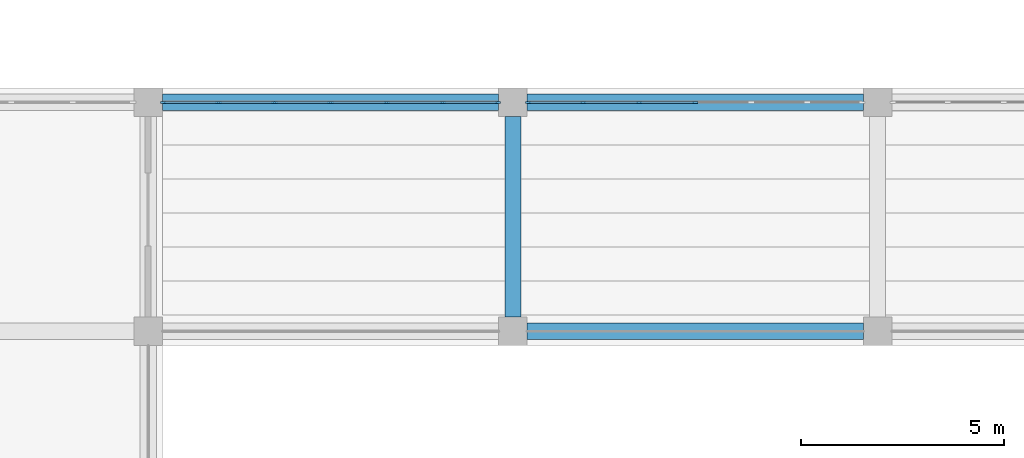
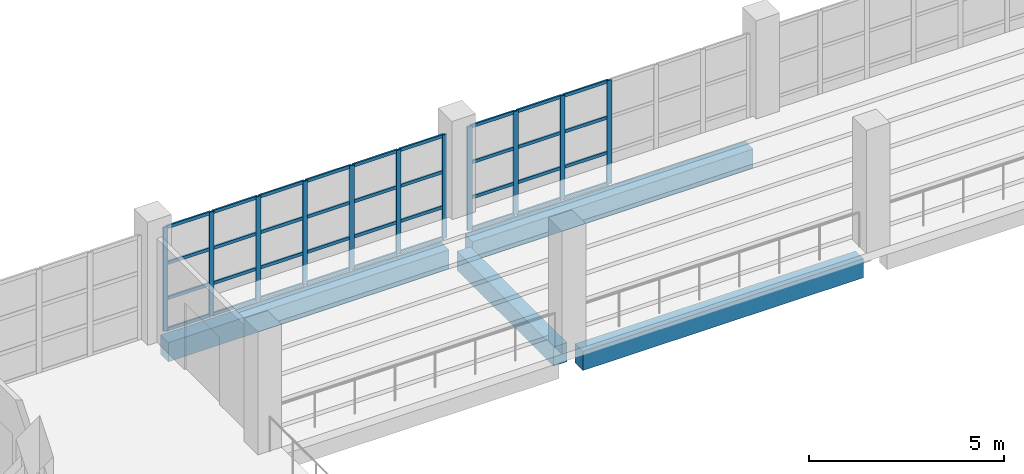
# One storey, part 8 of 36: 47 members, 4 beams, 2 elements without a shape of their own.
"""IFC4 building model written with IfcOpenShell, lengths in metres."""

from ifc_helpers import new_model, si_unit, direction, frame, origin, origin_2d, place, context, subcontext, project, spatial, rectangle, extrude, material, layer, layer_set, material_profile, profile_set, type_object, element, aggregate, save


model = new_model("IFC4")

# Units and contexts
model_context = context("Model", 3, precision=1e-05, world=origin(), true_north=direction((0.0, 1.0)))
body_context = subcontext(model_context, "Body", "Model", "MODEL_VIEW")
ifc_project = project(units=[si_unit("LENGTHUNIT", "METRE"), si_unit("AREAUNIT", "SQUARE_METRE"), si_unit("VOLUMEUNIT", "CUBIC_METRE"), si_unit("PLANEANGLEUNIT", "RADIAN"), si_unit("MASSUNIT", "GRAM", prefix="KILO")], contexts=[model_context])

# Site, building, storey
site_placement = place(None, origin())
site = spatial("IfcSite", under=ifc_project, at=site_placement, CompositionType="ELEMENT")
building_placement = place(site_placement, origin())
building = spatial("IfcBuilding", under=site, at=building_placement, Name="Corbel Stack Research Tower", CompositionType="ELEMENT")
storey_placement = place(building_placement, frame((0.0, 0.0, 7.199951171875)))
storey = spatial("IfcBuildingStorey", under=building, at=storey_placement, Name="L01", CompositionType="ELEMENT", Elevation=7.199951171875)

# Curtain wall, members
ifc_material_1 = material(Name="Aluminium", Category="aluminium")
ifc_layer = layer(ifc_material_1, 0.139892578125)
ifc_layer_set = layer_set([ifc_layer], Name="Aluminium")
curtain_wall_type = type_object("IfcCurtainWallType", Name="CW6 gallery curtain wall", PredefinedType="NOTDEFINED", material=ifc_layer_set)
curtain_wall_1_placement = place(storey_placement, origin())
curtain_wall_1 = element("IfcCurtainWall", 1, at=curtain_wall_1_placement, inside=storey, type_object=curtain_wall_type, Name="Gallery curtain wall L01 9", PredefinedType="NOTDEFINED")
ifc_material_2 = material(Name="Aluminium", Category="aluminium")
ifc_material_profile_1 = material_profile(ifc_material_2, rectangle(XDim=0.050048828125, YDim=0.139892578125, at=origin_2d()), Name="Mullion 50 x 140")
ifc_profile_set_1 = profile_set([ifc_material_profile_1], Name="Aluminium")
member_type_1 = type_object("IfcMemberType", Name="CW6 mullion 50 x 140", PredefinedType="MULLION", material=ifc_profile_set_1)
member_1_placement = place(storey_placement, frame((51.324951171875, 23.64990234375, 0.0), z_axis=(0.0, 0.0, 1.0), x_axis=(0.0, 1.0, 0.0)))
member_1 = element("IfcMember", 2, at=member_1_placement, type_object=member_type_1, Name="CW6 mullion 1", PredefinedType="MULLION", context=body_context, shape_type="SweptSolid", body=[
    extrude(rectangle(XDim=0.050048828125, YDim=0.139892578125, at=origin_2d()), origin(), (0.0, 0.0, 1.0), 3.25),
])
member_2_placement = place(storey_placement, frame((52.683349609375, 23.64990234375, 0.0), z_axis=(0.0, 0.0, 1.0), x_axis=(0.0, 1.0, 0.0)))
member_2 = element("IfcMember", 3, at=member_2_placement, type_object=member_type_1, Name="CW6 mullion 2", PredefinedType="MULLION", context=body_context, shape_type="SweptSolid", body=[
    extrude(rectangle(XDim=0.050048828125, YDim=0.139892578125, at=origin_2d()), origin(), (0.0, 0.0, 1.0), 3.25),
])
member_3_placement = place(storey_placement, frame((54.066650390625, 23.64990234375, 0.0), z_axis=(0.0, 0.0, 1.0), x_axis=(0.0, 1.0, 0.0)))
member_3 = element("IfcMember", 4, at=member_3_placement, type_object=member_type_1, Name="CW6 mullion 3", PredefinedType="MULLION", context=body_context, shape_type="SweptSolid", body=[
    extrude(rectangle(XDim=0.050048828125, YDim=0.139892578125, at=origin_2d()), origin(), (0.0, 0.0, 1.0), 3.25),
])
member_4_placement = place(storey_placement, frame((55.449951171875, 23.64990234375, 0.0), z_axis=(0.0, 0.0, 1.0), x_axis=(0.0, 1.0, 0.0)))
member_4 = element("IfcMember", 5, at=member_4_placement, type_object=member_type_1, Name="CW6 mullion 4", PredefinedType="MULLION", context=body_context, shape_type="SweptSolid", body=[
    extrude(rectangle(XDim=0.050048828125, YDim=0.139892578125, at=origin_2d()), origin(), (0.0, 0.0, 1.0), 3.25),
])
member_5_placement = place(storey_placement, frame((56.833251953125, 23.64990234375, 0.0), z_axis=(0.0, 0.0, 1.0), x_axis=(0.0, 1.0, 0.0)))
member_5 = element("IfcMember", 6, at=member_5_placement, type_object=member_type_1, Name="CW6 mullion 5", PredefinedType="MULLION", context=body_context, shape_type="SweptSolid", body=[
    extrude(rectangle(XDim=0.050048828125, YDim=0.139892578125, at=origin_2d()), origin(), (0.0, 0.0, 1.0), 3.25),
])
member_6_placement = place(storey_placement, frame((58.216552734375, 23.64990234375, 0.0), z_axis=(0.0, 0.0, 1.0), x_axis=(0.0, 1.0, 0.0)))
member_6 = element("IfcMember", 7, at=member_6_placement, type_object=member_type_1, Name="CW6 mullion 6", PredefinedType="MULLION", context=body_context, shape_type="SweptSolid", body=[
    extrude(rectangle(XDim=0.050048828125, YDim=0.139892578125, at=origin_2d()), origin(), (0.0, 0.0, 1.0), 3.25),
])
member_7_placement = place(storey_placement, frame((59.574951171875, 23.64990234375, 0.0), z_axis=(0.0, 0.0, 1.0), x_axis=(0.0, 1.0, 0.0)))
member_7 = element("IfcMember", 8, at=member_7_placement, type_object=member_type_1, Name="CW6 mullion 7", PredefinedType="MULLION", context=body_context, shape_type="SweptSolid", body=[
    extrude(rectangle(XDim=0.050048828125, YDim=0.139892578125, at=origin_2d()), origin(), (0.0, 0.0, 1.0), 3.25),
])

curtain_wall_2_placement = place(storey_placement, origin())
curtain_wall_2 = element("IfcCurtainWall", 9, at=curtain_wall_2_placement, inside=storey, type_object=curtain_wall_type, Name="Gallery curtain wall L01 10", PredefinedType="NOTDEFINED")
member_8_placement = place(storey_placement, frame((60.324951171875, 23.64990234375, 0.0), z_axis=(0.0, 0.0, 1.0), x_axis=(0.0, 1.0, 0.0)))
member_8 = element("IfcMember", 10, at=member_8_placement, type_object=member_type_1, Name="CW6 mullion 1", PredefinedType="MULLION", context=body_context, shape_type="SweptSolid", body=[
    extrude(rectangle(XDim=0.050048828125, YDim=0.139892578125, at=origin_2d()), origin(), (0.0, 0.0, 1.0), 3.25),
])
member_9_placement = place(storey_placement, frame((61.683349609375, 23.64990234375, 0.0), z_axis=(0.0, 0.0, 1.0), x_axis=(0.0, 1.0, 0.0)))
member_9 = element("IfcMember", 11, at=member_9_placement, type_object=member_type_1, Name="CW6 mullion 2", PredefinedType="MULLION", context=body_context, shape_type="SweptSolid", body=[
    extrude(rectangle(XDim=0.050048828125, YDim=0.139892578125, at=origin_2d()), origin(), (0.0, 0.0, 1.0), 3.25),
])
member_10_placement = place(storey_placement, frame((63.066650390625, 23.64990234375, 0.0), z_axis=(0.0, 0.0, 1.0), x_axis=(0.0, 1.0, 0.0)))
member_10 = element("IfcMember", 12, at=member_10_placement, type_object=member_type_1, Name="CW6 mullion 3", PredefinedType="MULLION", context=body_context, shape_type="SweptSolid", body=[
    extrude(rectangle(XDim=0.050048828125, YDim=0.139892578125, at=origin_2d()), origin(), (0.0, 0.0, 1.0), 3.25),
])
member_11_placement = place(storey_placement, frame((64.449951171875, 23.64990234375, 0.0), z_axis=(0.0, 0.0, 1.0), x_axis=(0.0, 1.0, 0.0)))
member_11 = element("IfcMember", 13, at=member_11_placement, type_object=member_type_1, Name="CW6 mullion 4", PredefinedType="MULLION", context=body_context, shape_type="SweptSolid", body=[
    extrude(rectangle(XDim=0.050048828125, YDim=0.139892578125, at=origin_2d()), origin(), (0.0, 0.0, 1.0), 3.25),
])

# Member
ifc_material_3 = material(Name="Aluminium", Category="aluminium")
ifc_material_profile_2 = material_profile(ifc_material_3, rectangle(XDim=0.050048828125, YDim=0.10009765625, at=origin_2d()), Name="Transom 50 x 100")
ifc_profile_set_2 = profile_set([ifc_material_profile_2], Name="Aluminium")
member_type_2 = type_object("IfcMemberType", Name="CW6 transom 50 x 100", PredefinedType="USERDEFINED", material=ifc_profile_set_2)
member_12_placement = place(storey_placement, frame((51.35009765625, 23.64990234375, 0.025146484375), z_axis=(1.0, 0.0, 0.0), x_axis=(0.0, 1.0, 0.0)))
member_12 = element("IfcMember", 14, at=member_12_placement, type_object=member_type_2, Name="CW6 transom 1.1", ObjectType="TRANSOM", PredefinedType="USERDEFINED", context=body_context, shape_type="SweptSolid", body=[
    extrude(rectangle(XDim=0.050048828125, YDim=0.10009765625, at=origin_2d()), origin(), (0.0, 0.0, 1.0), 1.308349609375),
])

member_13_placement = place(storey_placement, frame((51.35009765625, 23.64990234375, 1.0), z_axis=(1.0, 0.0, 0.0), x_axis=(0.0, 1.0, 0.0)))
member_13 = element("IfcMember", 15, at=member_13_placement, type_object=member_type_2, Name="CW6 transom 1.2", ObjectType="TRANSOM", PredefinedType="USERDEFINED", context=body_context, shape_type="SweptSolid", body=[
    extrude(rectangle(XDim=0.050048828125, YDim=0.10009765625, at=origin_2d()), origin(), (0.0, 0.0, 1.0), 1.308349609375),
])

member_14_placement = place(storey_placement, frame((51.35009765625, 23.64990234375, 2.10009765625), z_axis=(1.0, 0.0, 0.0), x_axis=(0.0, 1.0, 0.0)))
member_14 = element("IfcMember", 16, at=member_14_placement, type_object=member_type_2, Name="CW6 transom 1.3", ObjectType="TRANSOM", PredefinedType="USERDEFINED", context=body_context, shape_type="SweptSolid", body=[
    extrude(rectangle(XDim=0.050048828125, YDim=0.10009765625, at=origin_2d()), origin(), (0.0, 0.0, 1.0), 1.308349609375),
])

member_15_placement = place(storey_placement, frame((51.35009765625, 23.64990234375, 3.22509765625), z_axis=(1.0, 0.0, 0.0), x_axis=(0.0, 1.0, 0.0)))
member_15 = element("IfcMember", 17, at=member_15_placement, type_object=member_type_2, Name="CW6 transom 1.4", ObjectType="TRANSOM", PredefinedType="USERDEFINED", context=body_context, shape_type="SweptSolid", body=[
    extrude(rectangle(XDim=0.050048828125, YDim=0.10009765625, at=origin_2d()), origin(), (0.0, 0.0, 1.0), 1.308349609375),
])

member_16_placement = place(storey_placement, frame((52.708251953125, 23.64990234375, 0.025146484375), z_axis=(1.0, 0.0, 0.0), x_axis=(0.0, 1.0, 0.0)))
member_16 = element("IfcMember", 18, at=member_16_placement, type_object=member_type_2, Name="CW6 transom 2.1", ObjectType="TRANSOM", PredefinedType="USERDEFINED", context=body_context, shape_type="SweptSolid", body=[
    extrude(rectangle(XDim=0.050048828125, YDim=0.10009765625, at=origin_2d()), origin(), (0.0, 0.0, 1.0), 1.33349609375),
])

member_17_placement = place(storey_placement, frame((52.708251953125, 23.64990234375, 1.0), z_axis=(1.0, 0.0, 0.0), x_axis=(0.0, 1.0, 0.0)))
member_17 = element("IfcMember", 19, at=member_17_placement, type_object=member_type_2, Name="CW6 transom 2.2", ObjectType="TRANSOM", PredefinedType="USERDEFINED", context=body_context, shape_type="SweptSolid", body=[
    extrude(rectangle(XDim=0.050048828125, YDim=0.10009765625, at=origin_2d()), origin(), (0.0, 0.0, 1.0), 1.33349609375),
])

member_18_placement = place(storey_placement, frame((52.708251953125, 23.64990234375, 2.10009765625), z_axis=(1.0, 0.0, 0.0), x_axis=(0.0, 1.0, 0.0)))
member_18 = element("IfcMember", 20, at=member_18_placement, type_object=member_type_2, Name="CW6 transom 2.3", ObjectType="TRANSOM", PredefinedType="USERDEFINED", context=body_context, shape_type="SweptSolid", body=[
    extrude(rectangle(XDim=0.050048828125, YDim=0.10009765625, at=origin_2d()), origin(), (0.0, 0.0, 1.0), 1.33349609375),
])

member_19_placement = place(storey_placement, frame((52.708251953125, 23.64990234375, 3.22509765625), z_axis=(1.0, 0.0, 0.0), x_axis=(0.0, 1.0, 0.0)))
member_19 = element("IfcMember", 21, at=member_19_placement, type_object=member_type_2, Name="CW6 transom 2.4", ObjectType="TRANSOM", PredefinedType="USERDEFINED", context=body_context, shape_type="SweptSolid", body=[
    extrude(rectangle(XDim=0.050048828125, YDim=0.10009765625, at=origin_2d()), origin(), (0.0, 0.0, 1.0), 1.33349609375),
])

member_20_placement = place(storey_placement, frame((54.091552734375, 23.64990234375, 0.025146484375), z_axis=(1.0, 0.0, 0.0), x_axis=(0.0, 1.0, 0.0)))
member_20 = element("IfcMember", 22, at=member_20_placement, type_object=member_type_2, Name="CW6 transom 3.1", ObjectType="TRANSOM", PredefinedType="USERDEFINED", context=body_context, shape_type="SweptSolid", body=[
    extrude(rectangle(XDim=0.050048828125, YDim=0.10009765625, at=origin_2d()), origin(), (0.0, 0.0, 1.0), 1.33349609375),
])

member_21_placement = place(storey_placement, frame((54.091552734375, 23.64990234375, 1.0), z_axis=(1.0, 0.0, 0.0), x_axis=(0.0, 1.0, 0.0)))
member_21 = element("IfcMember", 23, at=member_21_placement, type_object=member_type_2, Name="CW6 transom 3.2", ObjectType="TRANSOM", PredefinedType="USERDEFINED", context=body_context, shape_type="SweptSolid", body=[
    extrude(rectangle(XDim=0.050048828125, YDim=0.10009765625, at=origin_2d()), origin(), (0.0, 0.0, 1.0), 1.33349609375),
])

member_22_placement = place(storey_placement, frame((54.091552734375, 23.64990234375, 2.10009765625), z_axis=(1.0, 0.0, 0.0), x_axis=(0.0, 1.0, 0.0)))
member_22 = element("IfcMember", 24, at=member_22_placement, type_object=member_type_2, Name="CW6 transom 3.3", ObjectType="TRANSOM", PredefinedType="USERDEFINED", context=body_context, shape_type="SweptSolid", body=[
    extrude(rectangle(XDim=0.050048828125, YDim=0.10009765625, at=origin_2d()), origin(), (0.0, 0.0, 1.0), 1.33349609375),
])

member_23_placement = place(storey_placement, frame((54.091552734375, 23.64990234375, 3.22509765625), z_axis=(1.0, 0.0, 0.0), x_axis=(0.0, 1.0, 0.0)))
member_23 = element("IfcMember", 25, at=member_23_placement, type_object=member_type_2, Name="CW6 transom 3.4", ObjectType="TRANSOM", PredefinedType="USERDEFINED", context=body_context, shape_type="SweptSolid", body=[
    extrude(rectangle(XDim=0.050048828125, YDim=0.10009765625, at=origin_2d()), origin(), (0.0, 0.0, 1.0), 1.33349609375),
])

member_24_placement = place(storey_placement, frame((55.47509765625, 23.64990234375, 0.025146484375), z_axis=(1.0, 0.0, 0.0), x_axis=(0.0, 1.0, 0.0)))
member_24 = element("IfcMember", 26, at=member_24_placement, type_object=member_type_2, Name="CW6 transom 4.1", ObjectType="TRANSOM", PredefinedType="USERDEFINED", context=body_context, shape_type="SweptSolid", body=[
    extrude(rectangle(XDim=0.050048828125, YDim=0.10009765625, at=origin_2d()), origin(), (0.0, 0.0, 1.0), 1.333251953125),
])

member_25_placement = place(storey_placement, frame((55.47509765625, 23.64990234375, 1.0), z_axis=(1.0, 0.0, 0.0), x_axis=(0.0, 1.0, 0.0)))
member_25 = element("IfcMember", 27, at=member_25_placement, type_object=member_type_2, Name="CW6 transom 4.2", ObjectType="TRANSOM", PredefinedType="USERDEFINED", context=body_context, shape_type="SweptSolid", body=[
    extrude(rectangle(XDim=0.050048828125, YDim=0.10009765625, at=origin_2d()), origin(), (0.0, 0.0, 1.0), 1.333251953125),
])

member_26_placement = place(storey_placement, frame((55.47509765625, 23.64990234375, 2.10009765625), z_axis=(1.0, 0.0, 0.0), x_axis=(0.0, 1.0, 0.0)))
member_26 = element("IfcMember", 28, at=member_26_placement, type_object=member_type_2, Name="CW6 transom 4.3", ObjectType="TRANSOM", PredefinedType="USERDEFINED", context=body_context, shape_type="SweptSolid", body=[
    extrude(rectangle(XDim=0.050048828125, YDim=0.10009765625, at=origin_2d()), origin(), (0.0, 0.0, 1.0), 1.333251953125),
])

member_27_placement = place(storey_placement, frame((55.47509765625, 23.64990234375, 3.22509765625), z_axis=(1.0, 0.0, 0.0), x_axis=(0.0, 1.0, 0.0)))
member_27 = element("IfcMember", 29, at=member_27_placement, type_object=member_type_2, Name="CW6 transom 4.4", ObjectType="TRANSOM", PredefinedType="USERDEFINED", context=body_context, shape_type="SweptSolid", body=[
    extrude(rectangle(XDim=0.050048828125, YDim=0.10009765625, at=origin_2d()), origin(), (0.0, 0.0, 1.0), 1.333251953125),
])

member_28_placement = place(storey_placement, frame((56.8583984375, 23.64990234375, 0.025146484375), z_axis=(1.0, 0.0, 0.0), x_axis=(0.0, 1.0, 0.0)))
member_28 = element("IfcMember", 30, at=member_28_placement, type_object=member_type_2, Name="CW6 transom 5.1", ObjectType="TRANSOM", PredefinedType="USERDEFINED", context=body_context, shape_type="SweptSolid", body=[
    extrude(rectangle(XDim=0.050048828125, YDim=0.10009765625, at=origin_2d()), origin(), (0.0, 0.0, 1.0), 1.333251953125),
])

member_29_placement = place(storey_placement, frame((56.8583984375, 23.64990234375, 1.0), z_axis=(1.0, 0.0, 0.0), x_axis=(0.0, 1.0, 0.0)))
member_29 = element("IfcMember", 31, at=member_29_placement, type_object=member_type_2, Name="CW6 transom 5.2", ObjectType="TRANSOM", PredefinedType="USERDEFINED", context=body_context, shape_type="SweptSolid", body=[
    extrude(rectangle(XDim=0.050048828125, YDim=0.10009765625, at=origin_2d()), origin(), (0.0, 0.0, 1.0), 1.333251953125),
])

member_30_placement = place(storey_placement, frame((56.8583984375, 23.64990234375, 2.10009765625), z_axis=(1.0, 0.0, 0.0), x_axis=(0.0, 1.0, 0.0)))
member_30 = element("IfcMember", 32, at=member_30_placement, type_object=member_type_2, Name="CW6 transom 5.3", ObjectType="TRANSOM", PredefinedType="USERDEFINED", context=body_context, shape_type="SweptSolid", body=[
    extrude(rectangle(XDim=0.050048828125, YDim=0.10009765625, at=origin_2d()), origin(), (0.0, 0.0, 1.0), 1.333251953125),
])

member_31_placement = place(storey_placement, frame((56.8583984375, 23.64990234375, 3.22509765625), z_axis=(1.0, 0.0, 0.0), x_axis=(0.0, 1.0, 0.0)))
member_31 = element("IfcMember", 33, at=member_31_placement, type_object=member_type_2, Name="CW6 transom 5.4", ObjectType="TRANSOM", PredefinedType="USERDEFINED", context=body_context, shape_type="SweptSolid", body=[
    extrude(rectangle(XDim=0.050048828125, YDim=0.10009765625, at=origin_2d()), origin(), (0.0, 0.0, 1.0), 1.333251953125),
])

member_32_placement = place(storey_placement, frame((58.24169921875, 23.64990234375, 0.025146484375), z_axis=(1.0, 0.0, 0.0), x_axis=(0.0, 1.0, 0.0)))
member_32 = element("IfcMember", 34, at=member_32_placement, type_object=member_type_2, Name="CW6 transom 6.1", ObjectType="TRANSOM", PredefinedType="USERDEFINED", context=body_context, shape_type="SweptSolid", body=[
    extrude(rectangle(XDim=0.050048828125, YDim=0.10009765625, at=origin_2d()), origin(), (0.0, 0.0, 1.0), 1.308349609375),
])

member_33_placement = place(storey_placement, frame((58.24169921875, 23.64990234375, 1.0), z_axis=(1.0, 0.0, 0.0), x_axis=(0.0, 1.0, 0.0)))
member_33 = element("IfcMember", 35, at=member_33_placement, type_object=member_type_2, Name="CW6 transom 6.2", ObjectType="TRANSOM", PredefinedType="USERDEFINED", context=body_context, shape_type="SweptSolid", body=[
    extrude(rectangle(XDim=0.050048828125, YDim=0.10009765625, at=origin_2d()), origin(), (0.0, 0.0, 1.0), 1.308349609375),
])

member_34_placement = place(storey_placement, frame((58.24169921875, 23.64990234375, 2.10009765625), z_axis=(1.0, 0.0, 0.0), x_axis=(0.0, 1.0, 0.0)))
member_34 = element("IfcMember", 36, at=member_34_placement, type_object=member_type_2, Name="CW6 transom 6.3", ObjectType="TRANSOM", PredefinedType="USERDEFINED", context=body_context, shape_type="SweptSolid", body=[
    extrude(rectangle(XDim=0.050048828125, YDim=0.10009765625, at=origin_2d()), origin(), (0.0, 0.0, 1.0), 1.308349609375),
])

member_35_placement = place(storey_placement, frame((58.24169921875, 23.64990234375, 3.22509765625), z_axis=(1.0, 0.0, 0.0), x_axis=(0.0, 1.0, 0.0)))
member_35 = element("IfcMember", 37, at=member_35_placement, type_object=member_type_2, Name="CW6 transom 6.4", ObjectType="TRANSOM", PredefinedType="USERDEFINED", context=body_context, shape_type="SweptSolid", body=[
    extrude(rectangle(XDim=0.050048828125, YDim=0.10009765625, at=origin_2d()), origin(), (0.0, 0.0, 1.0), 1.308349609375),
])

aggregate(curtain_wall_1, [member_1, member_2, member_3, member_4, member_5, member_6, member_7, member_12, member_13, member_14, member_15, member_16, member_17, member_18, member_19, member_20, member_21, member_22, member_23, member_24, member_25, member_26, member_27, member_28, member_29, member_30, member_31, member_32, member_33, member_34, member_35])

member_36_placement = place(storey_placement, frame((60.35009765625, 23.64990234375, 0.025146484375), z_axis=(1.0, 0.0, 0.0), x_axis=(0.0, 1.0, 0.0)))
member_36 = element("IfcMember", 38, at=member_36_placement, type_object=member_type_2, Name="CW6 transom 1.1", ObjectType="TRANSOM", PredefinedType="USERDEFINED", context=body_context, shape_type="SweptSolid", body=[
    extrude(rectangle(XDim=0.050048828125, YDim=0.10009765625, at=origin_2d()), origin(), (0.0, 0.0, 1.0), 1.308349609375),
])

member_37_placement = place(storey_placement, frame((60.35009765625, 23.64990234375, 1.0), z_axis=(1.0, 0.0, 0.0), x_axis=(0.0, 1.0, 0.0)))
member_37 = element("IfcMember", 39, at=member_37_placement, type_object=member_type_2, Name="CW6 transom 1.2", ObjectType="TRANSOM", PredefinedType="USERDEFINED", context=body_context, shape_type="SweptSolid", body=[
    extrude(rectangle(XDim=0.050048828125, YDim=0.10009765625, at=origin_2d()), origin(), (0.0, 0.0, 1.0), 1.308349609375),
])

member_38_placement = place(storey_placement, frame((60.35009765625, 23.64990234375, 2.10009765625), z_axis=(1.0, 0.0, 0.0), x_axis=(0.0, 1.0, 0.0)))
member_38 = element("IfcMember", 40, at=member_38_placement, type_object=member_type_2, Name="CW6 transom 1.3", ObjectType="TRANSOM", PredefinedType="USERDEFINED", context=body_context, shape_type="SweptSolid", body=[
    extrude(rectangle(XDim=0.050048828125, YDim=0.10009765625, at=origin_2d()), origin(), (0.0, 0.0, 1.0), 1.308349609375),
])

member_39_placement = place(storey_placement, frame((60.35009765625, 23.64990234375, 3.22509765625), z_axis=(1.0, 0.0, 0.0), x_axis=(0.0, 1.0, 0.0)))
member_39 = element("IfcMember", 41, at=member_39_placement, type_object=member_type_2, Name="CW6 transom 1.4", ObjectType="TRANSOM", PredefinedType="USERDEFINED", context=body_context, shape_type="SweptSolid", body=[
    extrude(rectangle(XDim=0.050048828125, YDim=0.10009765625, at=origin_2d()), origin(), (0.0, 0.0, 1.0), 1.308349609375),
])

member_40_placement = place(storey_placement, frame((61.708251953125, 23.64990234375, 0.025146484375), z_axis=(1.0, 0.0, 0.0), x_axis=(0.0, 1.0, 0.0)))
member_40 = element("IfcMember", 42, at=member_40_placement, type_object=member_type_2, Name="CW6 transom 2.1", ObjectType="TRANSOM", PredefinedType="USERDEFINED", context=body_context, shape_type="SweptSolid", body=[
    extrude(rectangle(XDim=0.050048828125, YDim=0.10009765625, at=origin_2d()), origin(), (0.0, 0.0, 1.0), 1.33349609375),
])

member_41_placement = place(storey_placement, frame((61.708251953125, 23.64990234375, 1.0), z_axis=(1.0, 0.0, 0.0), x_axis=(0.0, 1.0, 0.0)))
member_41 = element("IfcMember", 43, at=member_41_placement, type_object=member_type_2, Name="CW6 transom 2.2", ObjectType="TRANSOM", PredefinedType="USERDEFINED", context=body_context, shape_type="SweptSolid", body=[
    extrude(rectangle(XDim=0.050048828125, YDim=0.10009765625, at=origin_2d()), origin(), (0.0, 0.0, 1.0), 1.33349609375),
])

member_42_placement = place(storey_placement, frame((61.708251953125, 23.64990234375, 2.10009765625), z_axis=(1.0, 0.0, 0.0), x_axis=(0.0, 1.0, 0.0)))
member_42 = element("IfcMember", 44, at=member_42_placement, type_object=member_type_2, Name="CW6 transom 2.3", ObjectType="TRANSOM", PredefinedType="USERDEFINED", context=body_context, shape_type="SweptSolid", body=[
    extrude(rectangle(XDim=0.050048828125, YDim=0.10009765625, at=origin_2d()), origin(), (0.0, 0.0, 1.0), 1.33349609375),
])

member_43_placement = place(storey_placement, frame((61.708251953125, 23.64990234375, 3.22509765625), z_axis=(1.0, 0.0, 0.0), x_axis=(0.0, 1.0, 0.0)))
member_43 = element("IfcMember", 45, at=member_43_placement, type_object=member_type_2, Name="CW6 transom 2.4", ObjectType="TRANSOM", PredefinedType="USERDEFINED", context=body_context, shape_type="SweptSolid", body=[
    extrude(rectangle(XDim=0.050048828125, YDim=0.10009765625, at=origin_2d()), origin(), (0.0, 0.0, 1.0), 1.33349609375),
])

member_44_placement = place(storey_placement, frame((63.091552734375, 23.64990234375, 0.025146484375), z_axis=(1.0, 0.0, 0.0), x_axis=(0.0, 1.0, 0.0)))
member_44 = element("IfcMember", 46, at=member_44_placement, type_object=member_type_2, Name="CW6 transom 3.1", ObjectType="TRANSOM", PredefinedType="USERDEFINED", context=body_context, shape_type="SweptSolid", body=[
    extrude(rectangle(XDim=0.050048828125, YDim=0.10009765625, at=origin_2d()), origin(), (0.0, 0.0, 1.0), 1.33349609375),
])

member_45_placement = place(storey_placement, frame((63.091552734375, 23.64990234375, 1.0), z_axis=(1.0, 0.0, 0.0), x_axis=(0.0, 1.0, 0.0)))
member_45 = element("IfcMember", 47, at=member_45_placement, type_object=member_type_2, Name="CW6 transom 3.2", ObjectType="TRANSOM", PredefinedType="USERDEFINED", context=body_context, shape_type="SweptSolid", body=[
    extrude(rectangle(XDim=0.050048828125, YDim=0.10009765625, at=origin_2d()), origin(), (0.0, 0.0, 1.0), 1.33349609375),
])

member_46_placement = place(storey_placement, frame((63.091552734375, 23.64990234375, 2.10009765625), z_axis=(1.0, 0.0, 0.0), x_axis=(0.0, 1.0, 0.0)))
member_46 = element("IfcMember", 48, at=member_46_placement, type_object=member_type_2, Name="CW6 transom 3.3", ObjectType="TRANSOM", PredefinedType="USERDEFINED", context=body_context, shape_type="SweptSolid", body=[
    extrude(rectangle(XDim=0.050048828125, YDim=0.10009765625, at=origin_2d()), origin(), (0.0, 0.0, 1.0), 1.33349609375),
])

member_47_placement = place(storey_placement, frame((63.091552734375, 23.64990234375, 3.22509765625), z_axis=(1.0, 0.0, 0.0), x_axis=(0.0, 1.0, 0.0)))
member_47 = element("IfcMember", 49, at=member_47_placement, type_object=member_type_2, Name="CW6 transom 3.4", ObjectType="TRANSOM", PredefinedType="USERDEFINED", context=body_context, shape_type="SweptSolid", body=[
    extrude(rectangle(XDim=0.050048828125, YDim=0.10009765625, at=origin_2d()), origin(), (0.0, 0.0, 1.0), 1.33349609375),
])

aggregate(curtain_wall_2, [member_8, member_9, member_10, member_11, member_36, member_37, member_38, member_39, member_40, member_41, member_42, member_43, member_44, member_45, member_46, member_47])

# Beams
ifc_material_4 = material(Name="Concrete C40/50", Category="concrete")
ifc_material_profile_3 = material_profile(ifc_material_4, rectangle(XDim=0.39990234375, YDim=0.60009765625, at=origin_2d()), Name="RC 400 x 600")
ifc_profile_set_3 = profile_set([ifc_material_profile_3], Name="Concrete C40/50")
beam_type = type_object("IfcBeamType", Name="HB1 RC beam 400 x 600", PredefinedType="BEAM", material=ifc_profile_set_3)
for number, where, z_axis, x_axis, name in (
    (50, (51.300048828125, 23.64990234375, -0.550048828125), (1.0, 0.0, 0.0), (0.0, 1.0, 0.0), "Floor beam L01 H3HG-H4HG"),
    (51, (60.300048828125, 18.0, -0.550048828125), (1.0, 0.0, 0.0), (0.0, 1.0, 0.0), "Floor beam L01 H4HF-H5HF"),
):
    element("IfcBeam", number, at=place(storey_placement, frame(where, z_axis=z_axis, x_axis=x_axis)), inside=storey, type_object=beam_type, Name=name, PredefinedType="BEAM", context=body_context, shape_type="SweptSolid", body=[
        extrude(rectangle(XDim=0.39990234375, YDim=0.60009765625, at=origin_2d()), origin(), (0.0, 0.0, 1.0), 8.300048828125),
    ])
beam_1_placement = place(storey_placement, frame((59.949951171875, 18.35009765625, -0.550048828125), z_axis=(0.0, 1.0, 0.0), x_axis=(-1.0, 0.0, 0.0)))
element("IfcBeam", 52, at=beam_1_placement, inside=storey, type_object=beam_type, Name="Floor beam L01 H4HF-H4HG", PredefinedType="BEAM", context=body_context, shape_type="SweptSolid", body=[
    extrude(rectangle(XDim=0.39990234375, YDim=0.60009765625, at=origin_2d()), origin(), (0.0, 0.0, 1.0), 4.949951171875),
])
beam_2_placement = place(storey_placement, frame((60.300048828125, 23.64990234375, -0.550048828125), z_axis=(1.0, 0.0, 0.0), x_axis=(0.0, 1.0, 0.0)))
element("IfcBeam", 53, at=beam_2_placement, inside=storey, type_object=beam_type, Name="Floor beam L01 H4HG-H5HG", PredefinedType="BEAM", context=body_context, shape_type="SweptSolid", body=[
    extrude(rectangle(XDim=0.39990234375, YDim=0.60009765625, at=origin_2d()), origin(), (0.0, 0.0, 1.0), 8.300048828125),
])

save(model, "model.ifc")
